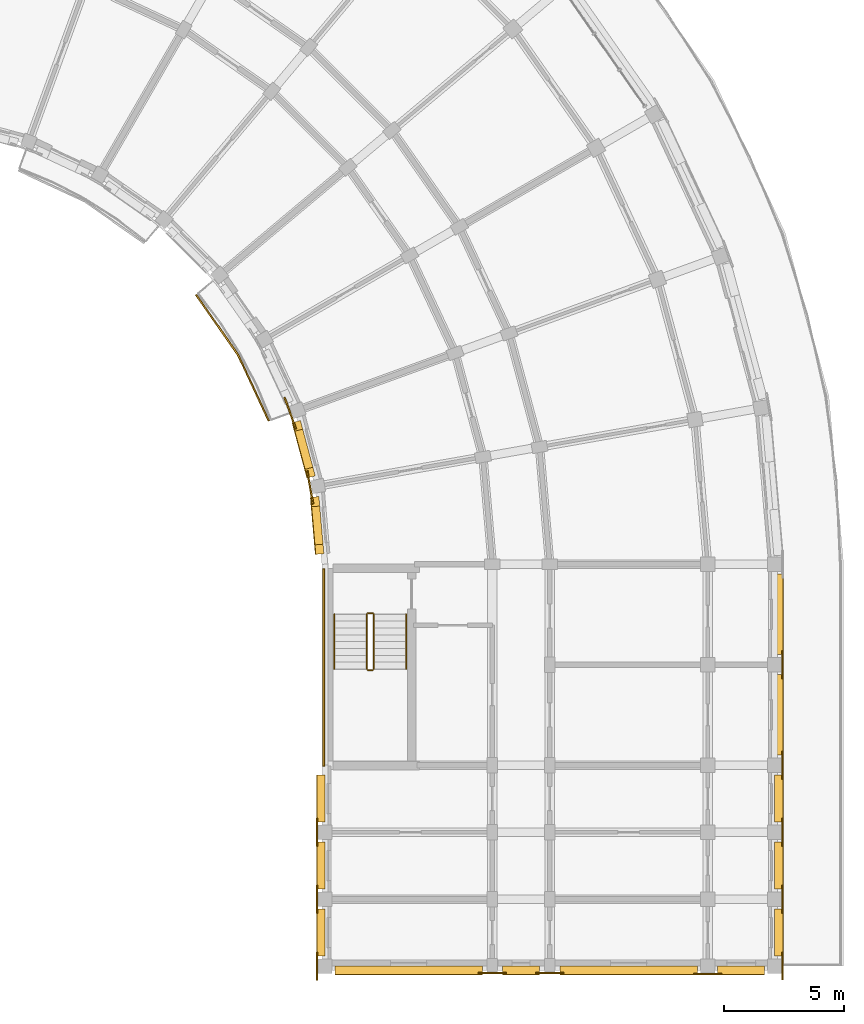
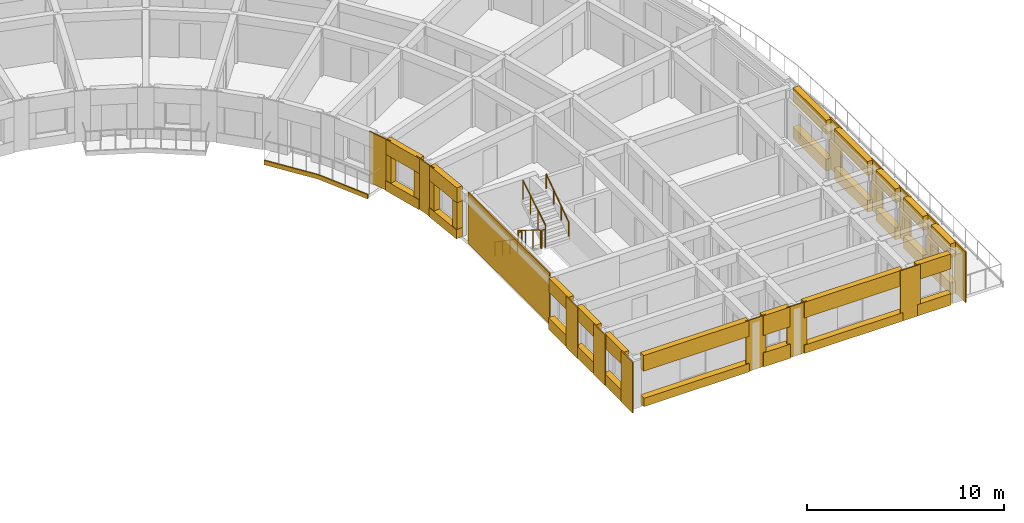
# One storey, part 34 of 36: 47 coverings, 6 railings.
"""IFC4 building model written with IfcOpenShell, lengths in metres."""

from ifc_helpers import new_model, si_unit, direction, frame, origin, origin_2d, place, context, subcontext, project, spatial, polyline, circle, outline, extrude, material, layer, layer_set, type_object, element, save


model = new_model("IFC4")

# Units and contexts
model_context = context("Model", 3, precision=1e-05, world=origin(), true_north=direction((0.0, 1.0)))
body_context = subcontext(model_context, "Body", "Model", "MODEL_VIEW")
ifc_project = project(units=[si_unit("LENGTHUNIT", "METRE"), si_unit("AREAUNIT", "SQUARE_METRE"), si_unit("VOLUMEUNIT", "CUBIC_METRE"), si_unit("PLANEANGLEUNIT", "RADIAN"), si_unit("MASSUNIT", "GRAM", prefix="KILO")], contexts=[model_context])

# Site, building, storey
site_placement = place(None, origin())
site = spatial("IfcSite", under=ifc_project, at=site_placement, CompositionType="ELEMENT")
building_placement = place(site_placement, origin())
building = spatial("IfcBuilding", under=site, at=building_placement, Name="Kiranvali Square Residences", CompositionType="ELEMENT")
storey_placement = place(building_placement, frame((0.0, 0.0, 37.050048828125)))
storey = spatial("IfcBuildingStorey", under=building, at=storey_placement, Name="L11", CompositionType="ELEMENT", Elevation=37.050048828125)

# Coverings
ifc_material_1 = material(Name="Carved Porbandar limestone classical entablature and cornice", Category="masonry")
ifc_layer_1 = layer(ifc_material_1, 0.06201171875)
ifc_layer_set_1 = layer_set([ifc_layer_1], Name="Carved Porbandar limestone classical entablature and cornice")
covering_type_1 = type_object("IfcCoveringType", Name="COV-CLAD-GBAL", PredefinedType="CLADDING", material=ifc_layer_set_1)
covering_1_placement = place(storey_placement, frame((0.0, 0.0, -0.219970703125)))
element("IfcCovering", 1, at=covering_1_placement, inside=storey, type_object=covering_type_1, Name="Block B L11 garden balcony limestone fascia 2", PredefinedType="CLADDING", context=body_context, shape_type="SweptSolid", body=[
    extrude(outline(polyline([(133.1904296875, 99.035888671875), (134.938232421875, 96.5400390625), (136.225830078125, 93.778564453125), (136.289794921875, 93.8017578125), (134.9970703125, 96.573974609375), (133.242431640625, 99.07958984375), (133.1904296875, 99.035888671875)])), origin(), (0.0, 0.0, 1.0), 0.27001953125),
])
ifc_material_2 = material(Name="Honed Porbandar limestone ashlar facade cladding", Category="masonry")
ifc_layer_2 = layer(ifc_material_2, 0.3798828125)
ifc_layer_set_2 = layer_set([ifc_layer_2], Name="Honed Porbandar limestone ashlar facade cladding")
covering_type_2 = type_object("IfcCoveringType", Name="COV-CLAD-JAMB", PredefinedType="CLADDING", material=ifc_layer_set_2)
covering_2_placement = place(storey_placement, frame((0.0, 0.0, 0.6220703125)))
element("IfcCovering", 2, at=covering_2_placement, inside=storey, type_object=covering_type_2, Name="L11 deep limestone window jamb reveal B-L11-GDN-07.L", PredefinedType="CLADDING", context=body_context, shape_type="SweptSolid", body=[
    extrude(outline(polyline([(137.251708984375, 93.717041015625), (137.348388671875, 93.356201171875), (137.67626953125, 93.444091796875), (137.57958984375, 93.804931640625), (137.251708984375, 93.717041015625)])), origin(), (0.0, 0.0, 1.0), 1.599853515625),
])
covering_3_placement = place(storey_placement, frame((0.0, 0.0, 0.6220703125)))
element("IfcCovering", 3, at=covering_3_placement, inside=storey, type_object=covering_type_2, Name="L11 deep limestone window jamb reveal B-L11-GDN-07.R", PredefinedType="CLADDING", context=body_context, shape_type="SweptSolid", body=[
    extrude(outline(polyline([(137.775390625, 91.762451171875), (137.8720703125, 91.401611328125), (138.199951171875, 91.489501953125), (138.103271484375, 91.850341796875), (137.775390625, 91.762451171875)])), origin(), (0.0, 0.0, 1.0), 1.599853515625),
])
covering_4_placement = place(storey_placement, frame((0.0, 0.0, 0.572021484375)))
element("IfcCovering", 4, at=covering_4_placement, inside=storey, type_object=covering_type_2, Name="L11 deep limestone window jamb reveal B-L11-GDN-08.L", PredefinedType="CLADDING", context=body_context, shape_type="SweptSolid", body=[
    extrude(outline(polyline([(138.013916015625, 90.5966796875), (138.048828125, 90.19970703125), (138.386962890625, 90.229248046875), (138.352294921875, 90.626220703125), (138.013916015625, 90.5966796875)])), origin(), (0.0, 0.0, 1.0), 1.64990234375),
])
covering_5_placement = place(storey_placement, frame((0.0, 0.0, 0.572021484375)))
element("IfcCovering", 5, at=covering_5_placement, inside=storey, type_object=covering_type_2, Name="L11 deep limestone window jamb reveal B-L11-GDN-08.R", PredefinedType="CLADDING", context=body_context, shape_type="SweptSolid", body=[
    extrude(outline(polyline([(138.188232421875, 88.605712890625), (138.222900390625, 88.208740234375), (138.56103515625, 88.23828125), (138.5263671875, 88.63525390625), (138.188232421875, 88.605712890625)])), origin(), (0.0, 0.0, 1.0), 1.64990234375),
])
ifc_layer_3 = layer(ifc_material_2, 0.06494140625)
ifc_layer_set_3 = layer_set([ifc_layer_3], Name="Honed Porbandar limestone ashlar facade cladding")
covering_type_3 = type_object("IfcCoveringType", Name="COV-CLAD-PIER", PredefinedType="CLADDING", material=ifc_layer_set_3)
covering_6_placement = place(storey_placement, frame((0.0, 0.0, 0.0048828125)))
element("IfcCovering", 6, at=covering_6_placement, inside=storey, type_object=covering_type_3, Name="Block B L11 Arm 2 stair limestone ashlar cladding", PredefinedType="CLADDING", context=body_context, shape_type="SweptSolid", body=[
    extrude(outline(polyline([(138.52001953125, 87.60009765625), (138.52001953125, 79.35009765625), (138.597900390625, 79.35009765625), (138.597900390625, 87.60009765625), (138.52001953125, 87.60009765625)])), origin(), (0.0, 0.0, 1.0), 3.14013671875),
])
ifc_layer_4 = layer(ifc_material_2, 0.050048828125)
ifc_layer_set_4 = layer_set([ifc_layer_4], Name="Honed Porbandar limestone ashlar facade cladding")
covering_type_4 = type_object("IfcCoveringType", Name="COV-CLAD-PIER-IN", PredefinedType="CLADDING", material=ifc_layer_set_4)
covering_7_placement = place(storey_placement, frame((0.0, 0.0, 0.0048828125)))
element("IfcCovering", 7, at=covering_7_placement, inside=storey, type_object=covering_type_4, Name="L11 Classical garden courtyard pilaster CLAD-PRIN-B-L11-A07", PredefinedType="CLADDING", context=body_context, shape_type="SweptSolid", body=[
    extrude(outline(polyline([(136.881103515625, 94.761962890625), (137.35986328125, 93.4462890625), (137.42333984375, 93.469482421875), (136.9443359375, 94.784912109375), (136.881103515625, 94.761962890625)])), origin(), (0.0, 0.0, 1.0), 3.14013671875),
])
covering_8_placement = place(storey_placement, frame((0.0, 0.0, 0.0048828125)))
element("IfcCovering", 8, at=covering_8_placement, inside=storey, type_object=covering_type_4, Name="L11 Classical garden courtyard pilaster CLAD-PRIN-B-L11-A08", PredefinedType="CLADDING", context=body_context, shape_type="SweptSolid", body=[
    extrude(outline(polyline([(137.830322265625, 91.68994140625), (138.073486328125, 90.311279296875), (138.139892578125, 90.322998046875), (137.89697265625, 91.70166015625), (137.830322265625, 91.68994140625)])), origin(), (0.0, 0.0, 1.0), 3.14013671875),
])
covering_9_placement = place(storey_placement, frame((0.0, 0.0, 0.0048828125)))
element("IfcCovering", 9, at=covering_9_placement, inside=storey, type_object=covering_type_4, Name="L11 Classical limestone pilaster casing CLAD-PRA2I-B-L11-V112", PredefinedType="CLADDING", context=body_context, shape_type="SweptSolid", body=[
    extrude(outline(polyline([(138.23193359375, 77.179931640625), (138.23193359375, 76.02001953125), (138.299560546875, 76.02001953125), (138.299560546875, 77.179931640625), (138.23193359375, 77.179931640625)])), origin(), (0.0, 0.0, 1.0), 3.14013671875),
])
covering_10_placement = place(storey_placement, frame((0.0, 0.0, 0.0048828125)))
element("IfcCovering", 10, at=covering_10_placement, inside=storey, type_object=covering_type_4, Name="L11 Classical limestone pilaster casing CLAD-PRA2I-B-L11-V140", PredefinedType="CLADDING", context=body_context, shape_type="SweptSolid", body=[
    extrude(outline(polyline([(138.23193359375, 74.3798828125), (138.23193359375, 73.219970703125), (138.299560546875, 73.219970703125), (138.299560546875, 74.3798828125), (138.23193359375, 74.3798828125)])), origin(), (0.0, 0.0, 1.0), 3.14013671875),
])
covering_11_placement = place(storey_placement, frame((0.0, 0.0, 0.0048828125)))
element("IfcCovering", 11, at=covering_11_placement, inside=storey, type_object=covering_type_4, Name="L11 Classical limestone pilaster casing CLAD-PRA2I-B-L11-V167", PredefinedType="CLADDING", context=body_context, shape_type="SweptSolid", body=[
    extrude(outline(polyline([(138.23193359375, 71.580078125), (138.23193359375, 70.419921875), (138.299560546875, 70.419921875), (138.299560546875, 71.580078125), (138.23193359375, 71.580078125)])), origin(), (0.0, 0.0, 1.0), 3.14013671875),
])
ifc_layer_5 = layer(ifc_material_2, 0.054931640625)
ifc_layer_set_5 = layer_set([ifc_layer_5], Name="Honed Porbandar limestone ashlar facade cladding")
covering_type_5 = type_object("IfcCoveringType", Name="COV-CLAD-PIER-UP", PredefinedType="CLADDING", material=ifc_layer_set_5)
covering_12_placement = place(storey_placement, frame((0.0, 0.0, 0.0048828125)))
element("IfcCovering", 12, at=covering_12_placement, inside=storey, type_object=covering_type_5, Name="L11 Classical limestone pilaster casing CLAD-PR-B-L11-V42", PredefinedType="CLADDING", context=body_context, shape_type="SweptSolid", body=[
    extrude(outline(polyline([(157.700439453125, 84.179931640625), (157.700439453125, 83.02001953125), (157.76806640625, 83.02001953125), (157.76806640625, 84.179931640625), (157.700439453125, 84.179931640625)])), origin(), (0.0, 0.0, 1.0), 3.14013671875),
])
covering_13_placement = place(storey_placement, frame((0.0, 0.0, 0.0048828125)))
element("IfcCovering", 13, at=covering_13_placement, inside=storey, type_object=covering_type_5, Name="L11 Classical limestone pilaster casing CLAD-PR-B-L11-V84", PredefinedType="CLADDING", context=body_context, shape_type="SweptSolid", body=[
    extrude(outline(polyline([(157.700439453125, 79.97998046875), (157.700439453125, 78.820068359375), (157.76806640625, 78.820068359375), (157.76806640625, 79.97998046875), (157.700439453125, 79.97998046875)])), origin(), (0.0, 0.0, 1.0), 3.14013671875),
])
covering_14_placement = place(storey_placement, frame((0.0, 0.0, 0.0048828125)))
element("IfcCovering", 14, at=covering_14_placement, inside=storey, type_object=covering_type_5, Name="L11 Classical limestone pilaster casing CLAD-PR-B-L11-V112", PredefinedType="CLADDING", context=body_context, shape_type="SweptSolid", body=[
    extrude(outline(polyline([(157.700439453125, 77.179931640625), (157.700439453125, 76.02001953125), (157.76806640625, 76.02001953125), (157.76806640625, 77.179931640625), (157.700439453125, 77.179931640625)])), origin(), (0.0, 0.0, 1.0), 3.14013671875),
])
covering_15_placement = place(storey_placement, frame((0.0, 0.0, 0.0048828125)))
element("IfcCovering", 15, at=covering_15_placement, inside=storey, type_object=covering_type_5, Name="L11 Classical limestone pilaster casing CLAD-PR-B-L11-V140", PredefinedType="CLADDING", context=body_context, shape_type="SweptSolid", body=[
    extrude(outline(polyline([(157.700439453125, 74.3798828125), (157.700439453125, 73.219970703125), (157.76806640625, 73.219970703125), (157.76806640625, 74.3798828125), (157.700439453125, 74.3798828125)])), origin(), (0.0, 0.0, 1.0), 3.14013671875),
])
covering_16_placement = place(storey_placement, frame((0.0, 0.0, 0.0048828125)))
element("IfcCovering", 16, at=covering_16_placement, inside=storey, type_object=covering_type_5, Name="L11 Classical limestone pilaster casing CLAD-PR-B-L11-V167", PredefinedType="CLADDING", context=body_context, shape_type="SweptSolid", body=[
    extrude(outline(polyline([(157.700439453125, 71.580078125), (157.700439453125, 70.419921875), (157.76806640625, 70.419921875), (157.76806640625, 71.580078125), (157.700439453125, 71.580078125)])), origin(), (0.0, 0.0, 1.0), 3.14013671875),
])
covering_17_placement = place(storey_placement, frame((0.0, 0.0, 0.0048828125)))
element("IfcCovering", 17, at=covering_17_placement, inside=storey, type_object=covering_type_5, Name="L11 Classical limestone pilaster casing CLAD-PRA2E-B-L11-R258", PredefinedType="CLADDING", context=body_context, shape_type="SweptSolid", body=[
    extrude(outline(polyline([(145.02001953125, 70.681884765625), (146.179931640625, 70.681884765625), (146.179931640625, 70.74951171875), (145.02001953125, 70.74951171875), (145.02001953125, 70.681884765625)])), origin(), (0.0, 0.0, 1.0), 3.14013671875),
])
covering_18_placement = place(storey_placement, frame((0.0, 0.0, 0.0048828125)))
element("IfcCovering", 18, at=covering_18_placement, inside=storey, type_object=covering_type_5, Name="L11 Classical limestone pilaster casing CLAD-PRA2E-B-L11-R282", PredefinedType="CLADDING", context=body_context, shape_type="SweptSolid", body=[
    extrude(outline(polyline([(147.419921875, 70.681884765625), (148.580078125, 70.681884765625), (148.580078125, 70.74951171875), (147.419921875, 70.74951171875), (147.419921875, 70.681884765625)])), origin(), (0.0, 0.0, 1.0), 3.14013671875),
])
covering_19_placement = place(storey_placement, frame((0.0, 0.0, 0.0048828125)))
element("IfcCovering", 19, at=covering_19_placement, inside=storey, type_object=covering_type_5, Name="L11 Classical limestone pilaster casing CLAD-PRA2E-B-L11-R348", PredefinedType="CLADDING", context=body_context, shape_type="SweptSolid", body=[
    extrude(outline(polyline([(154.02001953125, 70.632080078125), (155.179931640625, 70.632080078125), (155.179931640625, 70.699462890625), (154.02001953125, 70.699462890625), (154.02001953125, 70.632080078125)])), origin(), (0.0, 0.0, 1.0), 3.14013671875),
])
ifc_layer_6 = layer(ifc_material_2, 0.360107421875)
ifc_layer_set_6 = layer_set([ifc_layer_6], Name="Honed Porbandar limestone ashlar facade cladding")
covering_type_6 = type_object("IfcCoveringType", Name="COV-CLAD-WALL", PredefinedType="CLADDING", material=ifc_layer_set_6)
covering_20_placement = place(storey_placement, frame((0.0, 0.0, 2.221923828125)))
element("IfcCovering", 20, at=covering_20_placement, inside=storey, type_object=covering_type_6, Name="L11 light limestone spandrel lintel B-L11-GDN-07", PredefinedType="CLADDING", context=body_context, shape_type="SweptSolid", body=[
    extrude(outline(polyline([(137.251708984375, 93.717041015625), (137.8720703125, 91.401611328125), (138.199951171875, 91.489501953125), (137.57958984375, 93.804931640625), (137.251708984375, 93.717041015625)])), origin(), (0.0, 0.0, 1.0), 0.923095703125),
])
covering_21_placement = place(storey_placement, frame((0.0, 0.0, 2.221923828125)))
element("IfcCovering", 21, at=covering_21_placement, inside=storey, type_object=covering_type_6, Name="L11 light limestone spandrel lintel B-L11-GDN-08", PredefinedType="CLADDING", context=body_context, shape_type="SweptSolid", body=[
    extrude(outline(polyline([(138.013916015625, 90.5966796875), (138.222900390625, 88.208740234375), (138.56103515625, 88.23828125), (138.352294921875, 90.626220703125), (138.013916015625, 90.5966796875)])), origin(), (0.0, 0.0, 1.0), 0.923095703125),
])
covering_22_placement = place(storey_placement, frame((0.0, 0.0, 2.280029296875)))
element("IfcCovering", 22, at=covering_22_placement, inside=storey, type_object=covering_type_6, Name="L11 light limestone spandrel lintel B-L11-A2O-0", PredefinedType="CLADDING", context=body_context, shape_type="SweptSolid", body=[
    extrude(outline(polyline([(157.400390625, 87.3798828125), (157.400390625, 84.02001953125), (157.75, 84.02001953125), (157.75, 87.3798828125), (157.400390625, 87.3798828125)])), origin(), (0.0, 0.0, 1.0), 0.864990234375),
])
covering_23_placement = place(storey_placement, frame((0.0, 0.0, 2.280029296875)))
element("IfcCovering", 23, at=covering_23_placement, inside=storey, type_object=covering_type_6, Name="L11 light limestone spandrel lintel B-L11-A2O-1", PredefinedType="CLADDING", context=body_context, shape_type="SweptSolid", body=[
    extrude(outline(polyline([(157.400390625, 83.179931640625), (157.400390625, 79.820068359375), (157.75, 79.820068359375), (157.75, 83.179931640625), (157.400390625, 83.179931640625)])), origin(), (0.0, 0.0, 1.0), 0.864990234375),
])
covering_24_placement = place(storey_placement, frame((0.0, 0.0, 2.280029296875)))
element("IfcCovering", 24, at=covering_24_placement, inside=storey, type_object=covering_type_6, Name="L11 light limestone spandrel lintel B-L11-A2O-2", PredefinedType="CLADDING", context=body_context, shape_type="SweptSolid", body=[
    extrude(outline(polyline([(157.400390625, 78.97998046875), (157.400390625, 77.02001953125), (157.75, 77.02001953125), (157.75, 78.97998046875), (157.400390625, 78.97998046875)])), origin(), (0.0, 0.0, 1.0), 0.864990234375),
])
covering_25_placement = place(storey_placement, frame((0.0, 0.0, 2.280029296875)))
element("IfcCovering", 25, at=covering_25_placement, inside=storey, type_object=covering_type_6, Name="L11 light limestone spandrel lintel B-L11-A2O-3", PredefinedType="CLADDING", context=body_context, shape_type="SweptSolid", body=[
    extrude(outline(polyline([(157.400390625, 76.179931640625), (157.400390625, 74.219970703125), (157.75, 74.219970703125), (157.75, 76.179931640625), (157.400390625, 76.179931640625)])), origin(), (0.0, 0.0, 1.0), 0.864990234375),
])
covering_26_placement = place(storey_placement, frame((0.0, 0.0, 2.280029296875)))
element("IfcCovering", 26, at=covering_26_placement, inside=storey, type_object=covering_type_6, Name="L11 light limestone spandrel lintel B-L11-A2O-4", PredefinedType="CLADDING", context=body_context, shape_type="SweptSolid", body=[
    extrude(outline(polyline([(157.400390625, 73.3798828125), (157.400390625, 71.419921875), (157.75, 71.419921875), (157.75, 73.3798828125), (157.400390625, 73.3798828125)])), origin(), (0.0, 0.0, 1.0), 0.864990234375),
])
covering_27_placement = place(storey_placement, frame((0.0, 0.0, 2.27197265625)))
element("IfcCovering", 27, at=covering_27_placement, inside=storey, type_object=covering_type_6, Name="L11 light limestone spandrel lintel B-L11-A2I-0", PredefinedType="CLADDING", context=body_context, shape_type="SweptSolid", body=[
    extrude(outline(polyline([(138.280029296875, 78.97998046875), (138.280029296875, 77.02001953125), (138.599609375, 77.02001953125), (138.599609375, 78.97998046875), (138.280029296875, 78.97998046875)])), origin(), (0.0, 0.0, 1.0), 0.873046875),
])
covering_28_placement = place(storey_placement, frame((0.0, 0.0, 2.27197265625)))
element("IfcCovering", 28, at=covering_28_placement, inside=storey, type_object=covering_type_6, Name="L11 light limestone spandrel lintel B-L11-A2I-1", PredefinedType="CLADDING", context=body_context, shape_type="SweptSolid", body=[
    extrude(outline(polyline([(138.280029296875, 76.179931640625), (138.280029296875, 74.219970703125), (138.599609375, 74.219970703125), (138.599609375, 76.179931640625), (138.280029296875, 76.179931640625)])), origin(), (0.0, 0.0, 1.0), 0.873046875),
])
covering_29_placement = place(storey_placement, frame((0.0, 0.0, 2.27197265625)))
element("IfcCovering", 29, at=covering_29_placement, inside=storey, type_object=covering_type_6, Name="L11 light limestone spandrel lintel B-L11-A2I-2", PredefinedType="CLADDING", context=body_context, shape_type="SweptSolid", body=[
    extrude(outline(polyline([(138.280029296875, 73.3798828125), (138.280029296875, 71.419921875), (138.599609375, 71.419921875), (138.599609375, 73.3798828125), (138.280029296875, 73.3798828125)])), origin(), (0.0, 0.0, 1.0), 0.873046875),
])
covering_30_placement = place(storey_placement, frame((0.0, 0.0, 2.171875)))
element("IfcCovering", 30, at=covering_30_placement, inside=storey, type_object=covering_type_6, Name="L11 light limestone spandrel lintel B-L11-A2END-0", PredefinedType="CLADDING", context=body_context, shape_type="SweptSolid", body=[
    extrude(outline(polyline([(139.02001953125, 70.659912109375), (145.179931640625, 70.659912109375), (145.179931640625, 70.99951171875), (139.02001953125, 70.99951171875), (139.02001953125, 70.659912109375)])), origin(), (0.0, 0.0, 1.0), 0.97314453125),
])
covering_31_placement = place(storey_placement, frame((0.0, 0.0, 1.929931640625)))
element("IfcCovering", 31, at=covering_31_placement, inside=storey, type_object=covering_type_6, Name="L11 light limestone spandrel lintel B-L11-A2END-1", PredefinedType="CLADDING", context=body_context, shape_type="SweptSolid", body=[
    extrude(outline(polyline([(146.02001953125, 70.659912109375), (147.580078125, 70.659912109375), (147.580078125, 70.99951171875), (146.02001953125, 70.99951171875), (146.02001953125, 70.659912109375)])), origin(), (0.0, 0.0, 1.0), 1.215087890625),
])
covering_32_placement = place(storey_placement, frame((0.0, 0.0, 2.171875)))
element("IfcCovering", 32, at=covering_32_placement, inside=storey, type_object=covering_type_6, Name="L11 light limestone spandrel lintel B-L11-A2END-2", PredefinedType="CLADDING", context=body_context, shape_type="SweptSolid", body=[
    extrude(outline(polyline([(148.419921875, 70.659912109375), (154.179931640625, 70.659912109375), (154.179931640625, 70.99951171875), (148.419921875, 70.99951171875), (148.419921875, 70.659912109375)])), origin(), (0.0, 0.0, 1.0), 0.97314453125),
])
covering_33_placement = place(storey_placement, frame((0.0, 0.0, 2.2119140625)))
element("IfcCovering", 33, at=covering_33_placement, inside=storey, type_object=covering_type_6, Name="L11 light limestone spandrel lintel B-L11-A2END-3", PredefinedType="CLADDING", context=body_context, shape_type="SweptSolid", body=[
    extrude(outline(polyline([(155.02001953125, 70.659912109375), (156.97998046875, 70.659912109375), (156.97998046875, 70.99951171875), (155.02001953125, 70.99951171875), (155.02001953125, 70.659912109375)])), origin(), (0.0, 0.0, 1.0), 0.93310546875),
])
ifc_layer_7 = layer(ifc_material_2, 0.320068359375)
ifc_layer_set_7 = layer_set([ifc_layer_7], Name="Honed Porbandar limestone ashlar facade cladding")
covering_type_7 = type_object("IfcCoveringType", Name="COV-CLAD-WALL-UP", PredefinedType="CLADDING", material=ifc_layer_set_7)
covering_34_placement = place(storey_placement, frame((0.0, 0.0, 0.0048828125)))
element("IfcCovering", 34, at=covering_34_placement, inside=storey, type_object=covering_type_7, Name="L11 limestone window sill apron B-L11-GDN-07", PredefinedType="CLADDING", context=body_context, shape_type="SweptSolid", body=[
    extrude(outline(polyline([(137.22265625, 93.709228515625), (137.843017578125, 91.393798828125), (138.199951171875, 91.489501953125), (137.57958984375, 93.804931640625), (137.22265625, 93.709228515625)])), origin(), (0.0, 0.0, 1.0), 0.6171875),
])
covering_35_placement = place(storey_placement, frame((0.0, 0.0, 0.0048828125)))
element("IfcCovering", 35, at=covering_35_placement, inside=storey, type_object=covering_type_7, Name="L11 limestone window sill apron B-L11-GDN-08", PredefinedType="CLADDING", context=body_context, shape_type="SweptSolid", body=[
    extrude(outline(polyline([(137.984130859375, 90.593994140625), (138.193115234375, 88.2060546875), (138.56103515625, 88.23828125), (138.352294921875, 90.626220703125), (137.984130859375, 90.593994140625)])), origin(), (0.0, 0.0, 1.0), 0.567138671875),
])
covering_36_placement = place(storey_placement, frame((0.0, 0.0, 0.0048828125)))
element("IfcCovering", 36, at=covering_36_placement, inside=storey, type_object=covering_type_7, Name="L11 limestone window sill apron B-L11-A2O-0", PredefinedType="CLADDING", context=body_context, shape_type="SweptSolid", body=[
    extrude(outline(polyline([(157.400390625, 87.3798828125), (157.400390625, 84.02001953125), (157.780029296875, 84.02001953125), (157.780029296875, 87.3798828125), (157.400390625, 87.3798828125)])), origin(), (0.0, 0.0, 1.0), 0.72509765625),
])
covering_37_placement = place(storey_placement, frame((0.0, 0.0, 0.0048828125)))
element("IfcCovering", 37, at=covering_37_placement, inside=storey, type_object=covering_type_7, Name="L11 limestone window sill apron B-L11-A2O-1", PredefinedType="CLADDING", context=body_context, shape_type="SweptSolid", body=[
    extrude(outline(polyline([(157.400390625, 83.179931640625), (157.400390625, 79.820068359375), (157.780029296875, 79.820068359375), (157.780029296875, 83.179931640625), (157.400390625, 83.179931640625)])), origin(), (0.0, 0.0, 1.0), 0.72509765625),
])
covering_38_placement = place(storey_placement, frame((0.0, 0.0, 0.0048828125)))
element("IfcCovering", 38, at=covering_38_placement, inside=storey, type_object=covering_type_7, Name="L11 limestone window sill apron B-L11-A2O-2", PredefinedType="CLADDING", context=body_context, shape_type="SweptSolid", body=[
    extrude(outline(polyline([(157.400390625, 78.97998046875), (157.400390625, 77.02001953125), (157.780029296875, 77.02001953125), (157.780029296875, 78.97998046875), (157.400390625, 78.97998046875)])), origin(), (0.0, 0.0, 1.0), 0.72509765625),
])
covering_39_placement = place(storey_placement, frame((0.0, 0.0, 0.0048828125)))
element("IfcCovering", 39, at=covering_39_placement, inside=storey, type_object=covering_type_7, Name="L11 limestone window sill apron B-L11-A2O-3", PredefinedType="CLADDING", context=body_context, shape_type="SweptSolid", body=[
    extrude(outline(polyline([(157.400390625, 76.179931640625), (157.400390625, 74.219970703125), (157.780029296875, 74.219970703125), (157.780029296875, 76.179931640625), (157.400390625, 76.179931640625)])), origin(), (0.0, 0.0, 1.0), 0.72509765625),
])
covering_40_placement = place(storey_placement, frame((0.0, 0.0, 0.0048828125)))
element("IfcCovering", 40, at=covering_40_placement, inside=storey, type_object=covering_type_7, Name="L11 limestone window sill apron B-L11-A2O-4", PredefinedType="CLADDING", context=body_context, shape_type="SweptSolid", body=[
    extrude(outline(polyline([(157.400390625, 73.3798828125), (157.400390625, 71.419921875), (157.780029296875, 71.419921875), (157.780029296875, 73.3798828125), (157.400390625, 73.3798828125)])), origin(), (0.0, 0.0, 1.0), 0.72509765625),
])
covering_41_placement = place(storey_placement, frame((0.0, 0.0, 0.0048828125)))
element("IfcCovering", 41, at=covering_41_placement, inside=storey, type_object=covering_type_7, Name="L11 limestone window sill apron B-L11-A2I-0", PredefinedType="CLADDING", context=body_context, shape_type="SweptSolid", body=[
    extrude(outline(polyline([(138.25, 78.97998046875), (138.25, 77.02001953125), (138.599609375, 77.02001953125), (138.599609375, 78.97998046875), (138.25, 78.97998046875)])), origin(), (0.0, 0.0, 1.0), 0.717041015625),
])
covering_42_placement = place(storey_placement, frame((0.0, 0.0, 0.0048828125)))
element("IfcCovering", 42, at=covering_42_placement, inside=storey, type_object=covering_type_7, Name="L11 limestone window sill apron B-L11-A2I-1", PredefinedType="CLADDING", context=body_context, shape_type="SweptSolid", body=[
    extrude(outline(polyline([(138.25, 76.179931640625), (138.25, 74.219970703125), (138.599609375, 74.219970703125), (138.599609375, 76.179931640625), (138.25, 76.179931640625)])), origin(), (0.0, 0.0, 1.0), 0.717041015625),
])
covering_43_placement = place(storey_placement, frame((0.0, 0.0, 0.0048828125)))
element("IfcCovering", 43, at=covering_43_placement, inside=storey, type_object=covering_type_7, Name="L11 limestone window sill apron B-L11-A2I-2", PredefinedType="CLADDING", context=body_context, shape_type="SweptSolid", body=[
    extrude(outline(polyline([(138.25, 73.3798828125), (138.25, 71.419921875), (138.599609375, 71.419921875), (138.599609375, 73.3798828125), (138.25, 73.3798828125)])), origin(), (0.0, 0.0, 1.0), 0.717041015625),
])
covering_44_placement = place(storey_placement, frame((0.0, 0.0, 0.0048828125)))
element("IfcCovering", 44, at=covering_44_placement, inside=storey, type_object=covering_type_7, Name="L11 limestone window sill apron B-L11-A2END-0", PredefinedType="CLADDING", context=body_context, shape_type="SweptSolid", body=[
    extrude(outline(polyline([(139.02001953125, 70.6298828125), (145.179931640625, 70.6298828125), (145.179931640625, 70.99951171875), (139.02001953125, 70.99951171875), (139.02001953125, 70.6298828125)])), origin(), (0.0, 0.0, 1.0), 0.51708984375),
])
covering_45_placement = place(storey_placement, frame((0.0, 0.0, 0.0048828125)))
element("IfcCovering", 45, at=covering_45_placement, inside=storey, type_object=covering_type_7, Name="L11 limestone window sill apron B-L11-A2END-1", PredefinedType="CLADDING", context=body_context, shape_type="SweptSolid", body=[
    extrude(outline(polyline([(146.02001953125, 70.6298828125), (147.580078125, 70.6298828125), (147.580078125, 70.99951171875), (146.02001953125, 70.99951171875), (146.02001953125, 70.6298828125)])), origin(), (0.0, 0.0, 1.0), 0.875),
])
covering_46_placement = place(storey_placement, frame((0.0, 0.0, 0.0048828125)))
element("IfcCovering", 46, at=covering_46_placement, inside=storey, type_object=covering_type_7, Name="L11 limestone window sill apron B-L11-A2END-2", PredefinedType="CLADDING", context=body_context, shape_type="SweptSolid", body=[
    extrude(outline(polyline([(148.419921875, 70.6298828125), (154.179931640625, 70.6298828125), (154.179931640625, 70.99951171875), (148.419921875, 70.99951171875), (148.419921875, 70.6298828125)])), origin(), (0.0, 0.0, 1.0), 0.51708984375),
])
covering_47_placement = place(storey_placement, frame((0.0, 0.0, 0.0048828125)))
element("IfcCovering", 47, at=covering_47_placement, inside=storey, type_object=covering_type_7, Name="L11 limestone window sill apron B-L11-A2END-3", PredefinedType="CLADDING", context=body_context, shape_type="SweptSolid", body=[
    extrude(outline(polyline([(155.02001953125, 70.6298828125), (156.97998046875, 70.6298828125), (156.97998046875, 70.99951171875), (155.02001953125, 70.99951171875), (155.02001953125, 70.6298828125)])), origin(), (0.0, 0.0, 1.0), 0.70703125),
])

# Railings
ifc_material_3 = material(Name="Brushed stainless steel tubular handrail", Category="steel")
railing_type_1 = type_object("IfcRailingType", Name="RL-HANDRAIL-900", PredefinedType="HANDRAIL", material=ifc_material_3)
railing_1_placement = place(storey_placement, frame((139.0, 85.699951171875, 0.175048828125)))
element("IfcRailing", 48, at=railing_1_placement, inside=storey, type_object=railing_type_1, Name="L11 ST-B3 stair handrail 1", PredefinedType="HANDRAIL", context=body_context, shape_type="SweptSolid", body=[
    extrude(circle(Radius=0.02392578125, at=origin_2d()), frame((0.0, 0.0, 0.8759765625), z_axis=(0.0, -0.82278801735, 0.568348377763), x_axis=(1.0, 0.0, 0.0)), (0.0, 0.0, 1.0), 2.77099609375),
    extrude(circle(Radius=0.02099609375, at=origin_2d()), origin(), (0.0, 0.0, 1.0), 0.851806640625),
    extrude(circle(Radius=0.02099609375, at=origin_2d()), frame((0.0, -0.760009765625, 0.52490234375)), (0.0, 0.0, 1.0), 0.851806640625),
    extrude(circle(Radius=0.02099609375, at=origin_2d()), frame((0.0, -1.52001953125, 1.050048828125)), (0.0, 0.0, 1.0), 0.851806640625),
    extrude(circle(Radius=0.02099609375, at=origin_2d()), frame((0.0, -2.280029296875, 1.574951171875)), (0.0, 0.0, 1.0), 0.851806640625),
])
railing_2_placement = place(storey_placement, frame((142.0, 83.419921875, 1.75)))
element("IfcRailing", 49, at=railing_2_placement, inside=storey, type_object=railing_type_1, Name="L11 ST-B3 stair handrail 2", PredefinedType="HANDRAIL", context=body_context, shape_type="SweptSolid", body=[
    extrude(circle(Radius=0.02392578125, at=origin_2d()), frame((0.0, 0.0, 0.8759765625), z_axis=(0.0, 0.82278801735, 0.568348377763), x_axis=(-1.0, 0.0, 0.0)), (0.0, 0.0, 1.0), 2.77099609375),
    extrude(circle(Radius=0.02099609375, at=origin_2d()), origin(), (0.0, 0.0, 1.0), 0.851806640625),
    extrude(circle(Radius=0.02099609375, at=origin_2d()), frame((0.0, 0.760009765625, 0.52490234375)), (0.0, 0.0, 1.0), 0.851806640625),
    extrude(circle(Radius=0.02099609375, at=origin_2d()), frame((0.0, 1.52001953125, 1.050048828125)), (0.0, 0.0, 1.0), 0.851806640625),
    extrude(circle(Radius=0.02099609375, at=origin_2d()), frame((0.0, 2.280029296875, 1.574951171875)), (0.0, 0.0, 1.0), 0.851806640625),
])
ifc_material_4 = material(Name="Powder-coated architectural bronze balustrade", Category="steel")
railing_type_2 = type_object("IfcRailingType", Name="RL-ST-GUARD-1200", PredefinedType="GUARDRAIL", material=ifc_material_4)
railing_3_placement = place(storey_placement, frame((140.35009765625, 85.699951171875, 0.175048828125)))
element("IfcRailing", 50, at=railing_3_placement, inside=storey, type_object=railing_type_2, Name="L11 ST-B3 stair guard 1", PredefinedType="GUARDRAIL", context=body_context, shape_type="SweptSolid", body=[
    extrude(circle(Radius=0.02392578125, at=origin_2d()), frame((0.0, 0.0, 1.1259765625), z_axis=(0.0, -0.852190499154, 0.523231643875), x_axis=(1.0, 0.0, 0.0)), (0.0, 0.0, 1.0), 2.675537109375),
    extrude(circle(Radius=0.02099609375, at=origin_2d()), origin(), (0.0, 0.0, 1.0), 1.101806640625),
    extrude(circle(Radius=0.02099609375, at=origin_2d()), frame((0.0, -0.760009765625, 0.466552734375)), (0.0, 0.0, 1.0), 1.101806640625),
    extrude(circle(Radius=0.02099609375, at=origin_2d()), frame((0.0, -1.52001953125, 0.933349609375)), (0.0, 0.0, 1.0), 1.101806640625),
    extrude(circle(Radius=0.02099609375, at=origin_2d()), frame((0.0, -2.280029296875, 1.39990234375)), (0.0, 0.0, 1.0), 1.101806640625),
])
railing_4_placement = place(storey_placement, frame((140.39990234375, 83.3701171875, 1.574951171875)))
element("IfcRailing", 51, at=railing_4_placement, inside=storey, type_object=railing_type_2, Name="L11 ST-B3 stair guard 2", PredefinedType="GUARDRAIL", context=body_context, shape_type="SweptSolid", body=[
    extrude(circle(Radius=0.02392578125, at=origin_2d()), frame((0.0, 0.0, 1.1259765625), z_axis=(1.0, 0.0, 0.0), x_axis=(0.0, 1.0, 0.0)), (0.0, 0.0, 1.0), 0.2001953125),
    extrude(circle(Radius=0.02099609375, at=origin_2d()), origin(), (0.0, 0.0, 1.0), 1.101806640625),
    extrude(circle(Radius=0.02099609375, at=origin_2d()), frame((0.2001953125, 0.0, 0.0)), (0.0, 0.0, 1.0), 1.101806640625),
])
railing_5_placement = place(storey_placement, frame((140.64990234375, 83.419921875, 1.75)))
element("IfcRailing", 52, at=railing_5_placement, inside=storey, type_object=railing_type_2, Name="L11 ST-B3 stair guard 3", PredefinedType="GUARDRAIL", context=body_context, shape_type="SweptSolid", body=[
    extrude(circle(Radius=0.02392578125, at=origin_2d()), frame((0.0, 0.0, 1.1259765625), z_axis=(0.0, 0.852190499154, 0.523231643875), x_axis=(-1.0, 0.0, 0.0)), (0.0, 0.0, 1.0), 2.675537109375),
    extrude(circle(Radius=0.02099609375, at=origin_2d()), origin(), (0.0, 0.0, 1.0), 1.101806640625),
    extrude(circle(Radius=0.02099609375, at=origin_2d()), frame((0.0, 0.760009765625, 0.466552734375)), (0.0, 0.0, 1.0), 1.101806640625),
    extrude(circle(Radius=0.02099609375, at=origin_2d()), frame((0.0, 1.52001953125, 0.933349609375)), (0.0, 0.0, 1.0), 1.101806640625),
    extrude(circle(Radius=0.02099609375, at=origin_2d()), frame((0.0, 2.280029296875, 1.39990234375)), (0.0, 0.0, 1.0), 1.101806640625),
])
railing_6_placement = place(storey_placement, frame((140.39990234375, 85.75, 0.0)))
element("IfcRailing", 53, at=railing_6_placement, inside=storey, type_object=railing_type_2, Name="L11 ST-B3 stair guard 4", PredefinedType="GUARDRAIL", context=body_context, shape_type="SweptSolid", body=[
    extrude(circle(Radius=0.02392578125, at=origin_2d()), frame((0.0, 0.0, 1.1259765625), z_axis=(1.0, 0.0, 0.0), x_axis=(0.0, 1.0, 0.0)), (0.0, 0.0, 1.0), 0.2001953125),
    extrude(circle(Radius=0.02099609375, at=origin_2d()), origin(), (0.0, 0.0, 1.0), 1.101806640625),
    extrude(circle(Radius=0.02099609375, at=origin_2d()), frame((0.2001953125, 0.0, 0.0)), (0.0, 0.0, 1.0), 1.101806640625),
])

save(model, "model.ifc")
